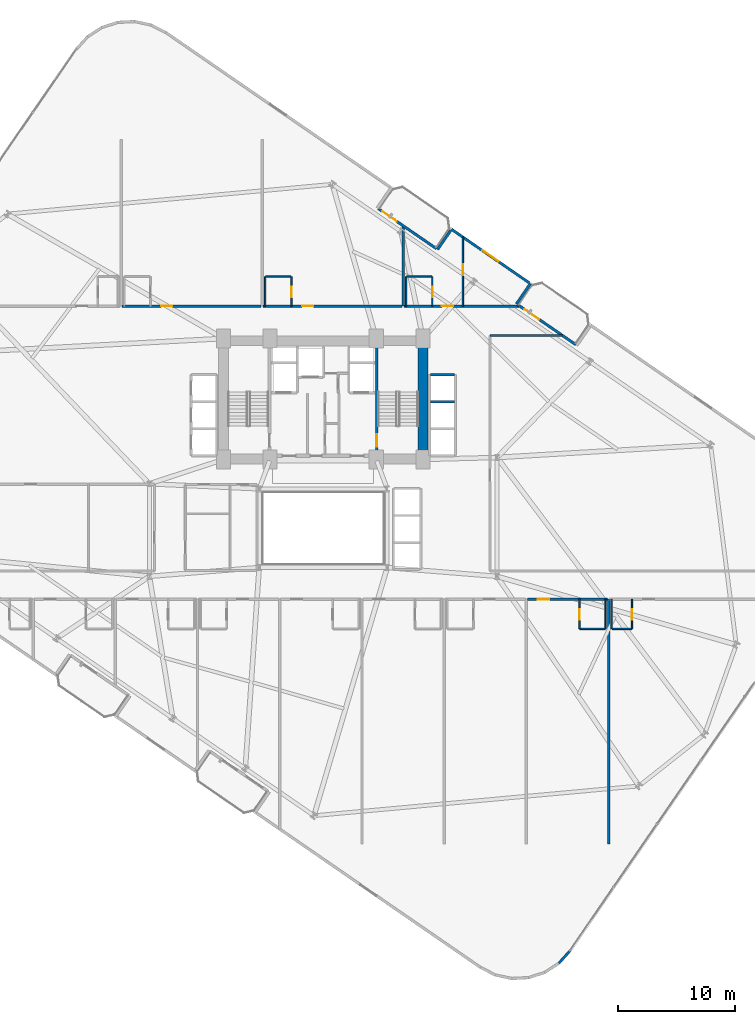
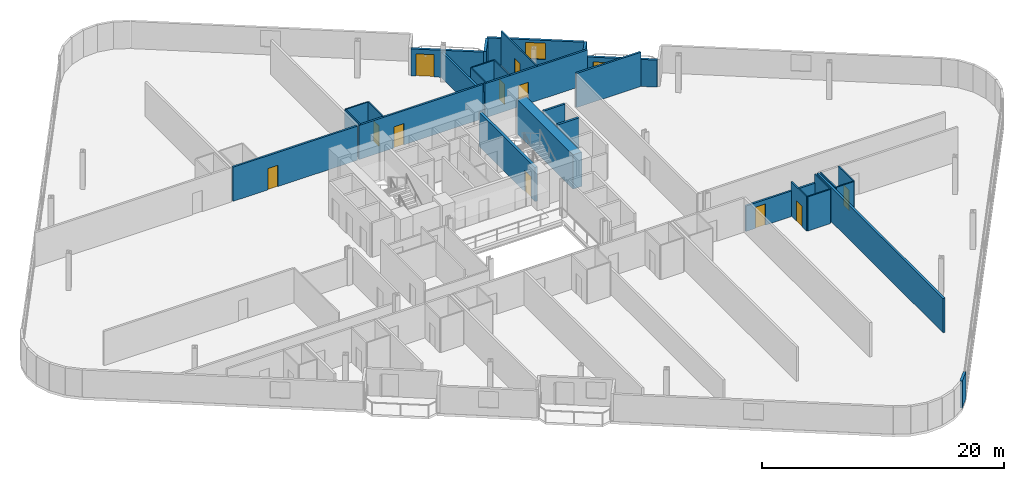
# One storey, part 20 of 25: 30 walls, 12 doors, 1 window, 13 openings.
"""IFC4 building model written with IfcOpenShell, lengths in metres."""

from ifc_helpers import new_model, si_unit, direction, frame, frame_2d, origin, place, context, subcontext, project, spatial, rectangle, extrude, material, layer, layer_set, type_object, element, fill, save


model = new_model("IFC4")

# Units and contexts
model_context = context("Model", 3, precision=1e-05, world=origin(), true_north=direction((0.0, 1.0)))
body_context = subcontext(model_context, "Body", "Model", "MODEL_VIEW")
ifc_project = project(units=[si_unit("LENGTHUNIT", "METRE"), si_unit("AREAUNIT", "SQUARE_METRE"), si_unit("VOLUMEUNIT", "CUBIC_METRE"), si_unit("PLANEANGLEUNIT", "RADIAN"), si_unit("MASSUNIT", "GRAM", prefix="KILO")], contexts=[model_context])

# Site, building, storey
site_placement = place(None, origin())
site = spatial("IfcSite", under=ifc_project, at=site_placement, CompositionType="ELEMENT")
building_placement = place(site_placement, origin())
building = spatial("IfcBuilding", under=site, at=building_placement, Name="Varnelok Gate Tower", CompositionType="ELEMENT")
storey_placement = place(building_placement, frame((0.0, 0.0, 52.89990234375)))
storey = spatial("IfcBuildingStorey", under=building, at=storey_placement, Name="L12", CompositionType="ELEMENT", Elevation=52.89990234375)

# Wall, opening, door
ifc_material_1 = material(Name="Concrete C45/55", Category="concrete")
ifc_layer_1 = layer(ifc_material_1, 0.219970703125)
ifc_layer_set_1 = layer_set([ifc_layer_1], Name="Concrete C45/55")
wall_type_1 = type_object("IfcWallType", Name="EW-BALC-220", PredefinedType="SOLIDWALL", material=ifc_layer_set_1)
wall_1_placement = place(storey_placement, frame((43.898193359375, 50.1015625, 0.0), z_axis=(0.0, 0.0, 1.0), x_axis=(0.823534636215, -0.567265989598, 0.0)))
wall_1 = element("IfcWall", 1, at=wall_1_placement, inside=storey, type_object=wall_type_1, Name="L12 North Terrace Envelope Wall 3", PredefinedType="SOLIDWALL", context=body_context, shape_type="SweptSolid", body=[
    extrude(rectangle(XDim=6.0, YDim=0.219970703125, at=frame_2d((3.0, 0.0))), origin(), (0.0, 0.0, 1.0), 2.72998046875),
])
opening_1_placement = place(wall_1_placement, frame((0.39990234375, 0.0, 0.0)))
opening_1 = element("IfcOpeningElement", 2, at=opening_1_placement, cuts=wall_1, Name="Opening BD-1", PredefinedType="OPENING", context=body_context, shape_type="SweptSolid", body=[
    extrude(rectangle(XDim=1.5, YDim=2.25, at=frame_2d((0.75, 1.125))), frame((0.0, 0.119873046875, 0.0), z_axis=(0.0, -1.0, 0.0), x_axis=(1.0, 0.0, 0.0)), (0.0, 0.0, 1.0), 0.239990234375),
])
ifc_material_2 = material(Name="Anodized Aluminum Alloy 6063-T6", Category="aluminium")
door_type_1 = type_object("IfcDoorType", Name="DR-EXT-BALC1500", OperationType="NOTDEFINED", PredefinedType="DOOR", material=ifc_material_2)
door_1_placement = place(opening_1_placement, origin())
door_1 = element("IfcDoor", 3, at=door_1_placement, inside=storey, type_object=door_type_1, Name="L12 North Balcony Glazed Door 3", OperationType="SINGLE_SWING_RIGHT", OverallHeight=2.25, OverallWidth=1.5, PredefinedType="DOOR", context=body_context, shape_type="SweptSolid", body=[
    extrude(rectangle(XDim=1.5, YDim=2.25, at=frame_2d((0.75, 1.125))), frame((0.0, 0.02490234375, 0.0), z_axis=(0.0, -1.0, 0.0), x_axis=(1.0, 0.0, 0.0)), (0.0, 0.0, 1.0), 0.050048828125),
])
fill(opening_1, door_1)

wall_2_placement = place(storey_placement, frame((55.757080078125, 41.932861328125, 0.0), z_axis=(0.0, 0.0, 1.0), x_axis=(0.823534636215, -0.567265989598, 0.0)))
wall_2 = element("IfcWall", 4, at=wall_2_placement, inside=storey, type_object=wall_type_1, Name="L12 North Terrace Envelope Wall 4", PredefinedType="SOLIDWALL", context=body_context, shape_type="SweptSolid", body=[
    extrude(rectangle(XDim=6.0, YDim=0.219970703125, at=frame_2d((3.0, 0.0))), origin(), (0.0, 0.0, 1.0), 2.72998046875),
])
opening_2_placement = place(wall_2_placement, frame((0.696044921875, 0.0, 0.0)))
opening_2 = element("IfcOpeningElement", 5, at=opening_2_placement, cuts=wall_2, Name="Opening BD-1", PredefinedType="OPENING", context=body_context, shape_type="SweptSolid", body=[
    extrude(rectangle(XDim=1.5, YDim=2.25, at=frame_2d((0.75, 1.125))), frame((0.0, 0.119873046875, 0.0), z_axis=(0.0, -1.0, 0.0), x_axis=(1.0, 0.0, 0.0)), (0.0, 0.0, 1.0), 0.239990234375),
])
door_2_placement = place(opening_2_placement, origin())
door_2 = element("IfcDoor", 6, at=door_2_placement, inside=storey, type_object=door_type_1, Name="L12 North Balcony Glazed Door 4", OperationType="SINGLE_SWING_LEFT", OverallHeight=2.25, OverallWidth=1.5, PredefinedType="DOOR", context=body_context, shape_type="SweptSolid", body=[
    extrude(rectangle(XDim=1.5, YDim=2.25, at=frame_2d((0.75, 1.125))), frame((0.0, 0.02490234375, 0.0), z_axis=(0.0, -1.0, 0.0), x_axis=(1.0, 0.0, 0.0)), (0.0, 0.0, 1.0), 0.050048828125),
])
fill(opening_2, door_2)

# Walls
wall_3_placement = place(storey_placement, frame((59.26611328125, -14.13525390625, 0.0), z_axis=(0.0, 0.0, 1.0), x_axis=(0.669866433955, 0.742481623113, 0.0)))
element("IfcWall", 7, at=wall_3_placement, inside=storey, type_object=wall_type_1, Name="L12 Perimeter Facade Closure Wall 19", PredefinedType="SOLIDWALL", context=body_context, shape_type="SweptSolid", body=[
    extrude(rectangle(XDim=1.4052734375, YDim=0.219970703125, at=frame_2d((0.70263671875, 0.0))), origin(), (0.0, 0.0, 1.0), 2.72998046875),
])
wall_4_placement = place(storey_placement, frame((55.652587890625, 41.99267578125, 0.0), z_axis=(0.0, 0.0, 1.0), x_axis=(0.567273696173, 0.823529327729, 0.0)))
element("IfcWall", 8, at=wall_4_placement, inside=storey, type_object=wall_type_1, Name="L12 Perimeter Facade Closure Wall 28", PredefinedType="SOLIDWALL", context=body_context, shape_type="SweptSolid", body=[
    extrude(rectangle(XDim=2.099853515625, YDim=0.219970703125, at=frame_2d((1.0498046875, 0.0))), origin(), (0.0, 0.0, 1.0), 2.72998046875),
])

# Wall, opening, window
wall_5_placement = place(storey_placement, frame((56.740966796875, 43.79296875, 0.0), z_axis=(0.0, 0.0, 1.0), x_axis=(-0.823530942962, 0.56727135128, 0.0)))
wall_5 = element("IfcWall", 9, at=wall_5_placement, inside=storey, type_object=wall_type_1, Name="L12 Perimeter Facade Closure Wall 29", PredefinedType="SOLIDWALL", context=body_context, shape_type="SweptSolid", body=[
    extrude(rectangle(XDim=8.03515625, YDim=0.219970703125, at=frame_2d((4.017578125, 0.0))), origin(), (0.0, 0.0, 1.0), 2.72998046875),
])
opening_3_placement = place(wall_5_placement, frame((3.1923828125, 0.0, 0.800048828125)))
opening_3 = element("IfcOpeningElement", 10, at=opening_3_placement, cuts=wall_5, Name="Opening WN3", PredefinedType="OPENING", context=body_context, shape_type="SweptSolid", body=[
    extrude(rectangle(XDim=1.64990234375, YDim=1.64990234375, at=frame_2d((0.824951171875, 0.824951171875))), frame((0.0, 0.119873046875, 0.0), z_axis=(0.0, -1.0, 0.0), x_axis=(1.0, 0.0, 0.0)), (0.0, 0.0, 1.0), 0.239990234375),
])
ifc_material_3 = material(Name="Low-E Laminated Double Glazing IGU", Category="glass")
window_type = type_object("IfcWindowType", Name="WN-HTL-1650", PartitioningType="SINGLE_PANEL", PredefinedType="WINDOW", material=ifc_material_3)
window_placement = place(opening_3_placement, origin())
window = element("IfcWindow", 11, at=window_placement, inside=storey, type_object=window_type, Name="L12 Perimeter Vision Window 29", OverallHeight=1.64990234375, OverallWidth=1.64990234375, PartitioningType="SINGLE_PANEL", PredefinedType="WINDOW", context=body_context, shape_type="SweptSolid", body=[
    extrude(rectangle(XDim=1.64990234375, YDim=1.64990234375, at=frame_2d((0.824951171875, 0.824951171875))), frame((0.0, 0.030029296875, 0.0), z_axis=(0.0, -1.0, 0.0), x_axis=(1.0, 0.0, 0.0)), (0.0, 0.0, 1.0), 0.06005859375),
])
fill(opening_3, window)

# Wall
wall_6_placement = place(storey_placement, frame((50.052978515625, 48.248046875, 0.0), z_axis=(0.0, 0.0, 1.0), x_axis=(-0.567273565974, -0.823529417415, 0.0)))
element("IfcWall", 12, at=wall_6_placement, inside=storey, type_object=wall_type_1, Name="L12 Perimeter Facade Closure Wall 30", PredefinedType="SOLIDWALL", context=body_context, shape_type="SweptSolid", body=[
    extrude(rectangle(XDim=1.97509765625, YDim=0.219970703125, at=frame_2d((0.987548828125, 0.0))), origin(), (0.0, 0.0, 1.0), 2.72998046875),
])

# Wall, opening, door
ifc_material_4 = material(Name="Gypsum Plasterboard Acoustic Partition", Category="gypsum")
ifc_layer_2 = layer(ifc_material_4, 0.179931640625)
ifc_layer_set_2 = layer_set([ifc_layer_2], Name="Gypsum Plasterboard Acoustic Partition")
wall_type_2 = type_object("IfcWallType", Name="PW-CORR-180", PredefinedType="PARTITIONING", material=ifc_layer_set_2)
wall_7_placement = place(storey_placement, frame((56.580078125, 16.85009765625, 0.0), z_axis=(0.0, 0.0, 1.0), x_axis=(1.0, 0.0, 0.0)))
wall_7 = element("IfcWall", 13, at=wall_7_placement, inside=storey, type_object=wall_type_2, Name="Interior Partition", PredefinedType="PARTITIONING", context=body_context, shape_type="SweptSolid", body=[
    extrude(rectangle(XDim=6.83984375, YDim=0.179931640625, at=frame_2d((3.419921875, 0.0))), origin(), (0.0, 0.0, 1.0), 2.580078125),
])
opening_4_placement = place(wall_7_placement, frame((0.89990234375, 0.0, 0.0)))
opening_4 = element("IfcOpeningElement", 14, at=opening_4_placement, cuts=wall_7, Name="Opening D-HT", PredefinedType="OPENING", context=body_context, shape_type="SweptSolid", body=[
    extrude(rectangle(XDim=0.949951171875, YDim=2.14990234375, at=frame_2d((0.47509765625, 1.074951171875))), frame((0.0, 0.099853515625, 0.0), z_axis=(0.0, -1.0, 0.0), x_axis=(1.0, 0.0, 0.0)), (0.0, 0.0, 1.0), 0.199951171875),
])
ifc_material_5 = material(Name="Engineered Hardwood Timber", Category="wood")
door_type_2 = type_object("IfcDoorType", Name="DR-HTL-950", OperationType="NOTDEFINED", PredefinedType="DOOR", material=ifc_material_5)
door_3_placement = place(opening_4_placement, origin())
door_3 = element("IfcDoor", 15, at=door_3_placement, inside=storey, type_object=door_type_2, Name="L12 Guest Room 08 Entrance Door", OperationType="SINGLE_SWING_LEFT", OverallHeight=2.14990234375, OverallWidth=0.949951171875, PredefinedType="DOOR", context=body_context, shape_type="SweptSolid", body=[
    extrude(rectangle(XDim=0.949951171875, YDim=2.14990234375, at=frame_2d((0.47509765625, 1.074951171875))), frame((0.0, 0.02490234375, 0.0), z_axis=(0.0, -1.0, 0.0), x_axis=(1.0, 0.0, 0.0)), (0.0, 0.0, 1.0), 0.050048828125),
])
fill(opening_4, door_3)

wall_8_placement = place(storey_placement, frame((22.080078125, 41.800048828125, 0.0), z_axis=(0.0, 0.0, 1.0), x_axis=(1.0, 0.0, 0.0)))
wall_8 = element("IfcWall", 16, at=wall_8_placement, inside=storey, type_object=wall_type_2, Name="Interior Partition", PredefinedType="PARTITIONING", context=body_context, shape_type="SweptSolid", body=[
    extrude(rectangle(XDim=11.83984375, YDim=0.179931640625, at=frame_2d((5.919921875, 0.0))), origin(), (0.0, 0.0, 1.0), 3.4501953125),
])
opening_5_placement = place(wall_8_placement, frame((3.326416015625, 0.0, 0.0)))
opening_5 = element("IfcOpeningElement", 17, at=opening_5_placement, cuts=wall_8, Name="Opening D-HT", PredefinedType="OPENING", context=body_context, shape_type="SweptSolid", body=[
    extrude(rectangle(XDim=0.949951171875, YDim=2.14990234375, at=frame_2d((0.47509765625, 1.074951171875))), frame((0.0, 0.099853515625, 0.0), z_axis=(0.0, -1.0, 0.0), x_axis=(1.0, 0.0, 0.0)), (0.0, 0.0, 1.0), 0.199951171875),
])
door_4_placement = place(opening_5_placement, origin())
door_4 = element("IfcDoor", 18, at=door_4_placement, inside=storey, type_object=door_type_2, Name="L12 Guest Room 11 Entrance Door", OperationType="SINGLE_SWING_RIGHT", OverallHeight=2.14990234375, OverallWidth=0.949951171875, PredefinedType="DOOR", context=body_context, shape_type="SweptSolid", body=[
    extrude(rectangle(XDim=0.949951171875, YDim=2.14990234375, at=frame_2d((0.47509765625, 1.074951171875))), frame((0.0, 0.02490234375, 0.0), z_axis=(0.0, -1.0, 0.0), x_axis=(1.0, 0.0, 0.0)), (0.0, 0.0, 1.0), 0.050048828125),
])
fill(opening_5, door_4)

wall_9_placement = place(storey_placement, frame((34.080078125, 41.800048828125, 0.0), z_axis=(0.0, 0.0, 1.0), x_axis=(1.0, 0.0, 0.0)))
wall_9 = element("IfcWall", 19, at=wall_9_placement, inside=storey, type_object=wall_type_2, Name="Interior Partition", PredefinedType="PARTITIONING", context=body_context, shape_type="SweptSolid", body=[
    extrude(rectangle(XDim=11.83984375, YDim=0.179931640625, at=frame_2d((5.919921875, 0.0))), origin(), (0.0, 0.0, 1.0), 3.4501953125),
])
opening_6_placement = place(wall_9_placement, frame((3.326416015625, 0.0, 0.0)))
opening_6 = element("IfcOpeningElement", 20, at=opening_6_placement, cuts=wall_9, Name="Opening D-HT", PredefinedType="OPENING", context=body_context, shape_type="SweptSolid", body=[
    extrude(rectangle(XDim=0.949951171875, YDim=2.14990234375, at=frame_2d((0.47509765625, 1.074951171875))), frame((0.0, 0.099853515625, 0.0), z_axis=(0.0, -1.0, 0.0), x_axis=(1.0, 0.0, 0.0)), (0.0, 0.0, 1.0), 0.199951171875),
])
door_5_placement = place(opening_6_placement, origin())
door_5 = element("IfcDoor", 21, at=door_5_placement, inside=storey, type_object=door_type_2, Name="L12 Guest Room 12 Entrance Door", OperationType="SINGLE_SWING_LEFT", OverallHeight=2.14990234375, OverallWidth=0.949951171875, PredefinedType="DOOR", context=body_context, shape_type="SweptSolid", body=[
    extrude(rectangle(XDim=0.949951171875, YDim=2.14990234375, at=frame_2d((0.47509765625, 1.074951171875))), frame((0.0, 0.02490234375, 0.0), z_axis=(0.0, -1.0, 0.0), x_axis=(1.0, 0.0, 0.0)), (0.0, 0.0, 1.0), 0.050048828125),
])
fill(opening_6, door_5)

wall_10_placement = place(storey_placement, frame((46.080078125, 41.800048828125, 0.0), z_axis=(0.0, 0.0, 1.0), x_axis=(1.0, 0.0, 0.0)))
wall_10 = element("IfcWall", 22, at=wall_10_placement, inside=storey, type_object=wall_type_2, Name="Interior Partition", PredefinedType="PARTITIONING", context=body_context, shape_type="SweptSolid", body=[
    extrude(rectangle(XDim=9.81689453125, YDim=0.179931640625, at=frame_2d((4.908447265625, 0.0))), origin(), (0.0, 0.0, 1.0), 3.4501953125),
])
opening_7_placement = place(wall_10_placement, frame((3.22998046875, 0.0, 0.0)))
opening_7 = element("IfcOpeningElement", 23, at=opening_7_placement, cuts=wall_10, Name="Opening D-HT", PredefinedType="OPENING", context=body_context, shape_type="SweptSolid", body=[
    extrude(rectangle(XDim=0.949951171875, YDim=2.14990234375, at=frame_2d((0.47509765625, 1.074951171875))), frame((0.0, 0.099853515625, 0.0), z_axis=(0.0, -1.0, 0.0), x_axis=(1.0, 0.0, 0.0)), (0.0, 0.0, 1.0), 0.199951171875),
])
door_6_placement = place(opening_7_placement, origin())
door_6 = element("IfcDoor", 24, at=door_6_placement, inside=storey, type_object=door_type_2, Name="L12 Guest Room 13 Entrance Door", OperationType="SINGLE_SWING_RIGHT", OverallHeight=2.14990234375, OverallWidth=0.949951171875, PredefinedType="DOOR", context=body_context, shape_type="SweptSolid", body=[
    extrude(rectangle(XDim=0.949951171875, YDim=2.14990234375, at=frame_2d((0.47509765625, 1.074951171875))), frame((0.0, 0.02490234375, 0.0), z_axis=(0.0, -1.0, 0.0), x_axis=(1.0, 0.0, 0.0)), (0.0, 0.0, 1.0), 0.050048828125),
])
fill(opening_7, door_6)

# Walls
wall_11_placement = place(storey_placement, frame((53.389892578125, 39.300048828125, 0.0), z_axis=(0.0, 0.0, 1.0), x_axis=(1.0, 0.0, 0.0)))
element("IfcWall", 25, at=wall_11_placement, inside=storey, type_object=wall_type_2, Name="Interior Partition", PredefinedType="PARTITIONING", context=body_context, shape_type="SweptSolid", body=[
    extrude(rectangle(XDim=6.136474609375, YDim=0.179931640625, at=frame_2d((3.068359375, 0.0))), origin(), (0.0, 0.0, 1.0), 3.4501953125),
])
ifc_layer_3 = layer(ifc_material_4, 0.114990234375)
ifc_layer_set_3 = layer_set([ifc_layer_3], Name="Gypsum Plasterboard Acoustic Partition")
wall_type_3 = type_object("IfcWallType", Name="PW-ENS-125", PredefinedType="PARTITIONING", material=ifc_layer_set_3)
wall_12_placement = place(storey_placement, frame((61.050048828125, 14.330078125, 0.0), z_axis=(0.0, 0.0, 1.0), x_axis=(1.0, 0.0, 0.0)))
element("IfcWall", 26, at=wall_12_placement, inside=storey, type_object=wall_type_3, Name="Interior Partition", PredefinedType="PARTITIONING", context=body_context, shape_type="SweptSolid", body=[
    extrude(rectangle(XDim=2.14990234375, YDim=0.114990234375, at=frame_2d((1.074951171875, 0.0))), origin(), (0.0, 0.0, 1.0), 3.4501953125),
])

# Wall, opening, door
wall_13_placement = place(storey_placement, frame((61.010009765625, 14.330078125, 0.0), z_axis=(0.0, 0.0, 1.0), x_axis=(0.0, 1.0, 0.0)))
wall_13 = element("IfcWall", 27, at=wall_13_placement, inside=storey, type_object=wall_type_3, Name="Interior Partition", PredefinedType="PARTITIONING", context=body_context, shape_type="SweptSolid", body=[
    extrude(rectangle(XDim=2.52001953125, YDim=0.114990234375, at=frame_2d((1.260009765625, 0.0))), origin(), (0.0, 0.0, 1.0), 3.4501953125),
])
opening_8_placement = place(wall_13_placement, frame((0.760009765625, 0.0, 0.0)))
opening_8 = element("IfcOpeningElement", 28, at=opening_8_placement, cuts=wall_13, Name="Opening D-WC", PredefinedType="OPENING", context=body_context, shape_type="SweptSolid", body=[
    extrude(rectangle(XDim=0.89990234375, YDim=2.050048828125, at=frame_2d((0.449951171875, 1.02490234375))), frame((0.0, 0.0673828125, 0.0), z_axis=(0.0, -1.0, 0.0), x_axis=(1.0, 0.0, 0.0)), (0.0, 0.0, 1.0), 0.135009765625),
])
door_type_3 = type_object("IfcDoorType", Name="DR-BATH-900", OperationType="NOTDEFINED", PredefinedType="DOOR", material=ifc_material_5)
door_7_placement = place(opening_8_placement, origin())
door_7 = element("IfcDoor", 29, at=door_7_placement, inside=storey, type_object=door_type_3, Name="L12 Guest En-Suite 08 Door", OperationType="SINGLE_SWING_RIGHT", OverallHeight=2.050048828125, OverallWidth=0.89990234375, PredefinedType="DOOR", context=body_context, shape_type="SweptSolid", body=[
    extrude(rectangle(XDim=0.89990234375, YDim=2.050048828125, at=frame_2d((0.449951171875, 1.02490234375))), frame((0.0, 0.02490234375, 0.0), z_axis=(0.0, -1.0, 0.0), x_axis=(1.0, 0.0, 0.0)), (0.0, 0.0, 1.0), 0.050048828125),
])
fill(opening_8, door_7)

# Walls
wall_14_placement = place(storey_placement, frame((63.239990234375, 14.330078125, 0.0), z_axis=(0.0, 0.0, 1.0), x_axis=(0.0, 1.0, 0.0)))
element("IfcWall", 30, at=wall_14_placement, inside=storey, type_object=wall_type_3, Name="Interior Partition", PredefinedType="PARTITIONING", context=body_context, shape_type="SweptSolid", body=[
    extrude(rectangle(XDim=2.52001953125, YDim=0.114990234375, at=frame_2d((1.260009765625, 0.0))), origin(), (0.0, 0.0, 1.0), 3.4501953125),
])
wall_15_placement = place(storey_placement, frame((63.800048828125, 14.330078125, 0.0), z_axis=(0.0, 0.0, 1.0), x_axis=(1.0, 0.0, 0.0)))
element("IfcWall", 31, at=wall_15_placement, inside=storey, type_object=wall_type_3, Name="Interior Partition", PredefinedType="PARTITIONING", context=body_context, shape_type="SweptSolid", body=[
    extrude(rectangle(XDim=1.64990234375, YDim=0.114990234375, at=frame_2d((0.824951171875, 0.0))), origin(), (0.0, 0.0, 1.0), 3.4501953125),
])

# Wall, opening, door
wall_16_placement = place(storey_placement, frame((65.489990234375, 14.330078125, 0.0), z_axis=(0.0, 0.0, 1.0), x_axis=(0.0, 1.0, 0.0)))
wall_16 = element("IfcWall", 32, at=wall_16_placement, inside=storey, type_object=wall_type_3, Name="Interior Partition", PredefinedType="PARTITIONING", context=body_context, shape_type="SweptSolid", body=[
    extrude(rectangle(XDim=2.52001953125, YDim=0.114990234375, at=frame_2d((1.260009765625, 0.0))), origin(), (0.0, 0.0, 1.0), 3.4501953125),
])
opening_9_placement = place(wall_16_placement, frame((0.760009765625, 0.0, 0.0)))
opening_9 = element("IfcOpeningElement", 33, at=opening_9_placement, cuts=wall_16, Name="Opening D-WC", PredefinedType="OPENING", context=body_context, shape_type="SweptSolid", body=[
    extrude(rectangle(XDim=0.89990234375, YDim=2.050048828125, at=frame_2d((0.449951171875, 1.02490234375))), frame((0.0, 0.0673828125, 0.0), z_axis=(0.0, -1.0, 0.0), x_axis=(1.0, 0.0, 0.0)), (0.0, 0.0, 1.0), 0.135009765625),
])
door_8_placement = place(opening_9_placement, origin())
door_8 = element("IfcDoor", 34, at=door_8_placement, inside=storey, type_object=door_type_3, Name="L12 Guest En-Suite 09 Door", OperationType="SINGLE_SWING_LEFT", OverallHeight=2.050048828125, OverallWidth=0.89990234375, PredefinedType="DOOR", context=body_context, shape_type="SweptSolid", body=[
    extrude(rectangle(XDim=0.89990234375, YDim=2.050048828125, at=frame_2d((0.449951171875, 1.02490234375))), frame((0.0, 0.02490234375, 0.0), z_axis=(0.0, -1.0, 0.0), x_axis=(1.0, 0.0, 0.0)), (0.0, 0.0, 1.0), 0.050048828125),
])
fill(opening_9, door_8)

# Walls
wall_17_placement = place(storey_placement, frame((63.760009765625, 14.330078125, 0.0), z_axis=(0.0, 0.0, 1.0), x_axis=(0.0, 1.0, 0.0)))
element("IfcWall", 35, at=wall_17_placement, inside=storey, type_object=wall_type_3, Name="Interior Partition", PredefinedType="PARTITIONING", context=body_context, shape_type="SweptSolid", body=[
    extrude(rectangle(XDim=2.52001953125, YDim=0.114990234375, at=frame_2d((1.260009765625, 0.0))), origin(), (0.0, 0.0, 1.0), 3.4501953125),
])
wall_18_placement = place(storey_placement, frame((34.300048828125, 44.320068359375, 0.0), z_axis=(0.0, 0.0, 1.0), x_axis=(1.0, 0.0, 0.0)))
element("IfcWall", 36, at=wall_18_placement, inside=storey, type_object=wall_type_3, Name="Interior Partition", PredefinedType="PARTITIONING", context=body_context, shape_type="SweptSolid", body=[
    extrude(rectangle(XDim=2.14990234375, YDim=0.114990234375, at=frame_2d((1.074951171875, 0.0))), origin(), (0.0, 0.0, 1.0), 3.4501953125),
])

# Wall, opening, door
wall_19_placement = place(storey_placement, frame((36.489990234375, 41.800048828125, 0.0), z_axis=(0.0, 0.0, 1.0), x_axis=(0.0, 1.0, 0.0)))
wall_19 = element("IfcWall", 37, at=wall_19_placement, inside=storey, type_object=wall_type_3, Name="Interior Partition", PredefinedType="PARTITIONING", context=body_context, shape_type="SweptSolid", body=[
    extrude(rectangle(XDim=2.52001953125, YDim=0.114990234375, at=frame_2d((1.260009765625, 0.0))), origin(), (0.0, 0.0, 1.0), 3.4501953125),
])
opening_10_placement = place(wall_19_placement, frame((0.760009765625, 0.0, 0.0)))
opening_10 = element("IfcOpeningElement", 38, at=opening_10_placement, cuts=wall_19, Name="Opening D-WC", PredefinedType="OPENING", context=body_context, shape_type="SweptSolid", body=[
    extrude(rectangle(XDim=0.89990234375, YDim=2.050048828125, at=frame_2d((0.449951171875, 1.02490234375))), frame((0.0, 0.0673828125, 0.0), z_axis=(0.0, -1.0, 0.0), x_axis=(1.0, 0.0, 0.0)), (0.0, 0.0, 1.0), 0.135009765625),
])
door_9_placement = place(opening_10_placement, origin())
door_9 = element("IfcDoor", 39, at=door_9_placement, inside=storey, type_object=door_type_3, Name="L12 North En-Suite 12 Door", OperationType="SINGLE_SWING_RIGHT", OverallHeight=2.050048828125, OverallWidth=0.89990234375, PredefinedType="DOOR", context=body_context, shape_type="SweptSolid", body=[
    extrude(rectangle(XDim=0.89990234375, YDim=2.050048828125, at=frame_2d((0.449951171875, 1.02490234375))), frame((0.0, 0.02490234375, 0.0), z_axis=(0.0, -1.0, 0.0), x_axis=(1.0, 0.0, 0.0)), (0.0, 0.0, 1.0), 0.050048828125),
])
fill(opening_10, door_9)

# Walls
wall_20_placement = place(storey_placement, frame((34.260009765625, 41.800048828125, 0.0), z_axis=(0.0, 0.0, 1.0), x_axis=(0.0, 1.0, 0.0)))
element("IfcWall", 40, at=wall_20_placement, inside=storey, type_object=wall_type_3, Name="Interior Partition", PredefinedType="PARTITIONING", context=body_context, shape_type="SweptSolid", body=[
    extrude(rectangle(XDim=2.52001953125, YDim=0.114990234375, at=frame_2d((1.260009765625, 0.0))), origin(), (0.0, 0.0, 1.0), 3.4501953125),
])
wall_21_placement = place(storey_placement, frame((46.300048828125, 44.320068359375, 0.0), z_axis=(0.0, 0.0, 1.0), x_axis=(1.0, 0.0, 0.0)))
element("IfcWall", 41, at=wall_21_placement, inside=storey, type_object=wall_type_3, Name="Interior Partition", PredefinedType="PARTITIONING", context=body_context, shape_type="SweptSolid", body=[
    extrude(rectangle(XDim=2.14990234375, YDim=0.114990234375, at=frame_2d((1.074951171875, 0.0))), origin(), (0.0, 0.0, 1.0), 3.4501953125),
])

# Wall, opening, door
wall_22_placement = place(storey_placement, frame((48.489990234375, 41.800048828125, 0.0), z_axis=(0.0, 0.0, 1.0), x_axis=(0.0, 1.0, 0.0)))
wall_22 = element("IfcWall", 42, at=wall_22_placement, inside=storey, type_object=wall_type_3, Name="Interior Partition", PredefinedType="PARTITIONING", context=body_context, shape_type="SweptSolid", body=[
    extrude(rectangle(XDim=2.52001953125, YDim=0.114990234375, at=frame_2d((1.260009765625, 0.0))), origin(), (0.0, 0.0, 1.0), 3.4501953125),
])
opening_11_placement = place(wall_22_placement, frame((0.760009765625, 0.0, 0.0)))
opening_11 = element("IfcOpeningElement", 43, at=opening_11_placement, cuts=wall_22, Name="Opening D-WC", PredefinedType="OPENING", context=body_context, shape_type="SweptSolid", body=[
    extrude(rectangle(XDim=0.89990234375, YDim=2.050048828125, at=frame_2d((0.449951171875, 1.02490234375))), frame((0.0, 0.0673828125, 0.0), z_axis=(0.0, -1.0, 0.0), x_axis=(1.0, 0.0, 0.0)), (0.0, 0.0, 1.0), 0.135009765625),
])
door_10_placement = place(opening_11_placement, origin())
door_10 = element("IfcDoor", 44, at=door_10_placement, inside=storey, type_object=door_type_3, Name="L12 North En-Suite 13 Door", OperationType="SINGLE_SWING_RIGHT", OverallHeight=2.050048828125, OverallWidth=0.89990234375, PredefinedType="DOOR", context=body_context, shape_type="SweptSolid", body=[
    extrude(rectangle(XDim=0.89990234375, YDim=2.050048828125, at=frame_2d((0.449951171875, 1.02490234375))), frame((0.0, 0.02490234375, 0.0), z_axis=(0.0, -1.0, 0.0), x_axis=(1.0, 0.0, 0.0)), (0.0, 0.0, 1.0), 0.050048828125),
])
fill(opening_11, door_10)

# Wall
wall_23_placement = place(storey_placement, frame((46.260009765625, 41.800048828125, 0.0), z_axis=(0.0, 0.0, 1.0), x_axis=(0.0, 1.0, 0.0)))
element("IfcWall", 45, at=wall_23_placement, inside=storey, type_object=wall_type_3, Name="Interior Partition", PredefinedType="PARTITIONING", context=body_context, shape_type="SweptSolid", body=[
    extrude(rectangle(XDim=2.52001953125, YDim=0.114990234375, at=frame_2d((1.260009765625, 0.0))), origin(), (0.0, 0.0, 1.0), 3.4501953125),
])

# Wall, opening, door
ifc_layer_4 = layer(ifc_material_4, 0.125)
ifc_layer_set_4 = layer_set([ifc_layer_4], Name="Gypsum Plasterboard Acoustic Partition")
wall_type_4 = type_object("IfcWallType", Name="PW-PART-125", PredefinedType="PARTITIONING", material=ifc_layer_set_4)
wall_24_placement = place(storey_placement, frame((51.10009765625, 41.800048828125, 0.0), z_axis=(0.0, 0.0, 1.0), x_axis=(0.0, 1.0, 0.0)))
wall_24 = element("IfcWall", 46, at=wall_24_placement, inside=storey, type_object=wall_type_4, Name="Interior Partition", PredefinedType="PARTITIONING", context=body_context, shape_type="SweptSolid", body=[
    extrude(rectangle(XDim=5.854248046875, YDim=0.125, at=frame_2d((2.92724609375, 0.0))), origin(), (0.0, 0.0, 1.0), 3.4501953125),
])
opening_12_placement = place(wall_24_placement, frame((2.64306640625, 0.0, 0.0)))
opening_12 = element("IfcOpeningElement", 47, at=opening_12_placement, cuts=wall_24, Name="Opening D-I3", PredefinedType="OPENING", context=body_context, shape_type="SweptSolid", body=[
    extrude(rectangle(XDim=0.919921875, YDim=2.050048828125, at=frame_2d((0.4599609375, 1.02490234375))), frame((0.0, 0.072509765625, 0.0), z_axis=(0.0, -1.0, 0.0), x_axis=(1.0, 0.0, 0.0)), (0.0, 0.0, 1.0), 0.14501953125),
])
door_type_4 = type_object("IfcDoorType", Name="DR-INT-920", OperationType="NOTDEFINED", PredefinedType="DOOR", material=ifc_material_5)
door_11_placement = place(opening_12_placement, origin())
door_11 = element("IfcDoor", 48, at=door_11_placement, inside=storey, type_object=door_type_4, Name="L12 Suite Bedroom Door 13", OperationType="SINGLE_SWING_LEFT", OverallHeight=2.050048828125, OverallWidth=0.919921875, PredefinedType="DOOR", context=body_context, shape_type="SweptSolid", body=[
    extrude(rectangle(XDim=0.919921875, YDim=2.050048828125, at=frame_2d((0.4599609375, 1.02490234375))), frame((0.0, 0.02490234375, 0.0), z_axis=(0.0, -1.0, 0.0), x_axis=(1.0, 0.0, 0.0)), (0.0, 0.0, 1.0), 0.050048828125),
])
fill(opening_12, door_11)

# Walls
ifc_layer_5 = layer(ifc_material_4, 0.205078125)
ifc_layer_set_5 = layer_set([ifc_layer_5], Name="Gypsum Plasterboard Acoustic Partition")
wall_type_5 = type_object("IfcWallType", Name="PW-PARTY-200", PredefinedType="PARTITIONING", material=ifc_layer_set_5)
wall_25_placement = place(storey_placement, frame((63.5, -4.0, 0.0), z_axis=(0.0, 0.0, 1.0), x_axis=(0.0, 1.0, 0.0)))
element("IfcWall", 49, at=wall_25_placement, inside=storey, type_object=wall_type_5, Name="L12 South Party Wall 8", PredefinedType="PARTITIONING", context=body_context, shape_type="SweptSolid", body=[
    extrude(rectangle(XDim=20.85009765625, YDim=0.205078125, at=frame_2d((10.425048828125, 0.0))), origin(), (0.0, 0.0, 1.0), 3.4501953125),
])
wall_26_placement = place(storey_placement, frame((46.0, 41.800048828125, 0.0), z_axis=(0.0, 0.0, 1.0), x_axis=(0.0, 1.0, 0.0)))
element("IfcWall", 50, at=wall_26_placement, inside=storey, type_object=wall_type_5, Name="L12 North Party Wall 3", PredefinedType="PARTITIONING", context=body_context, shape_type="SweptSolid", body=[
    extrude(rectangle(XDim=6.817138671875, YDim=0.205078125, at=frame_2d((3.40869140625, 0.0))), origin(), (0.0, 0.0, 1.0), 2.580078125),
])
ifc_material_6 = material(Name="Concrete C35/45", Category="concrete")
ifc_layer_6 = layer(ifc_material_6, 0.199951171875)
ifc_layer_set_6 = layer_set([ifc_layer_6], Name="Concrete C35/45")
wall_type_6 = type_object("IfcWallType", Name="PW-SHAFT-200", PredefinedType="PARTITIONING", material=ifc_layer_set_6)
for number, where, z_axis, x_axis, name in (
    (51, (48.320068359375, 33.675048828125, 0.0), (0.0, 0.0, 1.0), (1.0, 0.0, 0.0), "L12 PM2 Divider"),
    (52, (48.320068359375, 35.969970703125, 0.0), (0.0, 0.0, 1.0), (1.0, 0.0, 0.0), "L12 PM Bank North Wall"),
):
    element("IfcWall", number, at=place(storey_placement, frame(where, z_axis=z_axis, x_axis=x_axis)), inside=storey, type_object=wall_type_6, Name=name, PredefinedType="PARTITIONING", context=body_context, shape_type="SweptSolid", body=[
        extrude(rectangle(XDim=2.059814453125, YDim=0.199951171875, at=frame_2d((1.02978515625, 0.0))), origin(), (0.0, 0.0, 1.0), 3.4501953125),
    ])
ifc_material_7 = material(Name="Concrete C70/85", Category="concrete")
ifc_layer_7 = layer(ifc_material_7, 0.85009765625)
ifc_layer_set_7 = layer_set([ifc_layer_7], Name="Concrete C70/85")
wall_type_7 = type_object("IfcWallType", Name="SW-CORE-850", PredefinedType="SHEAR", material=ifc_layer_set_7)
wall_27_placement = place(storey_placement, frame((47.695068359375, 29.199951171875, 0.0), z_axis=(0.0, 0.0, 1.0), x_axis=(0.0, 1.0, 0.0)))
element("IfcWall", 53, at=wall_27_placement, inside=storey, type_object=wall_type_7, Name="L12 Rear Core East Shear Wall", PredefinedType="SHEAR", context=body_context, shape_type="SweptSolid", body=[
    extrude(rectangle(XDim=9.219970703125, YDim=0.85009765625, at=frame_2d((4.60986328125, 0.0))), origin(), (0.0, 0.0, 1.0), 3.4501953125),
])

# Wall, opening, door
ifc_material_8 = material(Name="Concrete C60/75", Category="concrete")
ifc_layer_8 = layer(ifc_material_8, 0.25)
ifc_layer_set_8 = layer_set([ifc_layer_8], Name="Concrete C60/75")
wall_type_8 = type_object("IfcWallType", Name="SW-SHAFT-250", PredefinedType="SHEAR", material=ifc_layer_set_8)
wall_28_placement = place(storey_placement, frame((43.760009765625, 29.199951171875, 0.0), z_axis=(0.0, 0.0, 1.0), x_axis=(0.0, 1.0, 0.0)))
wall_28 = element("IfcWall", 54, at=wall_28_placement, inside=storey, type_object=wall_type_8, Name="L12 Stair ST-2 West Shear Wall", PredefinedType="SHEAR", context=body_context, shape_type="SweptSolid", body=[
    extrude(rectangle(XDim=9.219970703125, YDim=0.25, at=frame_2d((4.60986328125, 0.0))), origin(), (0.0, 0.0, 1.0), 3.4501953125),
])
opening_13_placement = place(wall_28_placement, frame((0.64990234375, 0.0, 0.0)))
opening_13 = element("IfcOpeningElement", 55, at=opening_13_placement, cuts=wall_28, Name="Opening D-ST", PredefinedType="OPENING", context=body_context, shape_type="SweptSolid", body=[
    extrude(rectangle(XDim=1.050048828125, YDim=2.14990234375, at=frame_2d((0.52490234375, 1.074951171875))), frame((0.0, 0.135009765625, 0.0), z_axis=(0.0, -1.0, 0.0), x_axis=(1.0, 0.0, 0.0)), (0.0, 0.0, 1.0), 0.27001953125),
])
ifc_material_9 = material(Name="Galvanized Steel Grade S350GD", Category="steel")
door_type_5 = type_object("IfcDoorType", Name="DR-STAIR-1050", OperationType="NOTDEFINED", PredefinedType="DOOR", material=ifc_material_9)
door_12_placement = place(opening_13_placement, origin())
door_12 = element("IfcDoor", 56, at=door_12_placement, inside=storey, type_object=door_type_5, Name="L12 Exit Stair ST-2 Fire Door", OperationType="SINGLE_SWING_RIGHT", OverallHeight=2.14990234375, OverallWidth=1.050048828125, PredefinedType="DOOR", context=body_context, shape_type="SweptSolid", body=[
    extrude(rectangle(XDim=1.050048828125, YDim=2.14990234375, at=frame_2d((0.52490234375, 1.074951171875))), frame((0.0, 0.02490234375, 0.0), z_axis=(0.0, -1.0, 0.0), x_axis=(1.0, 0.0, 0.0)), (0.0, 0.0, 1.0), 0.050048828125),
])
fill(opening_13, door_12)

save(model, "model.ifc")
